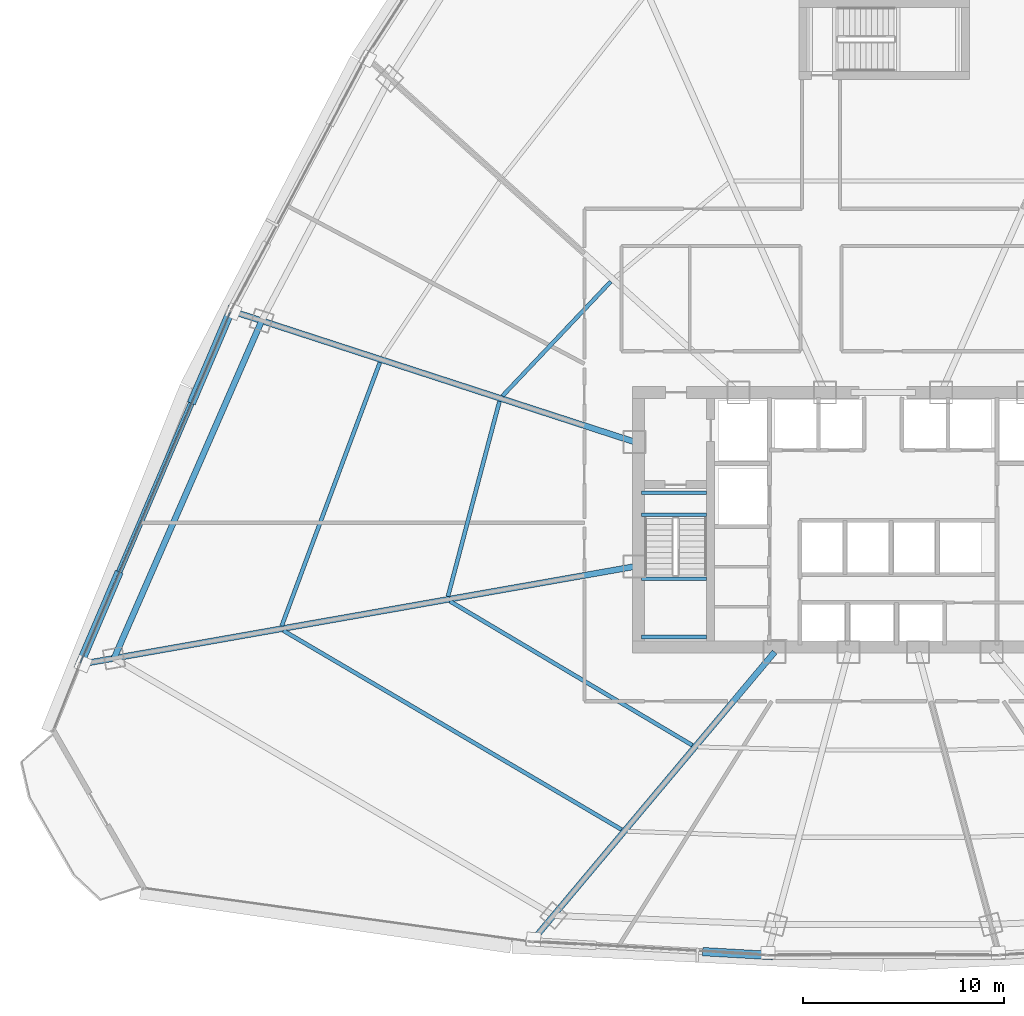
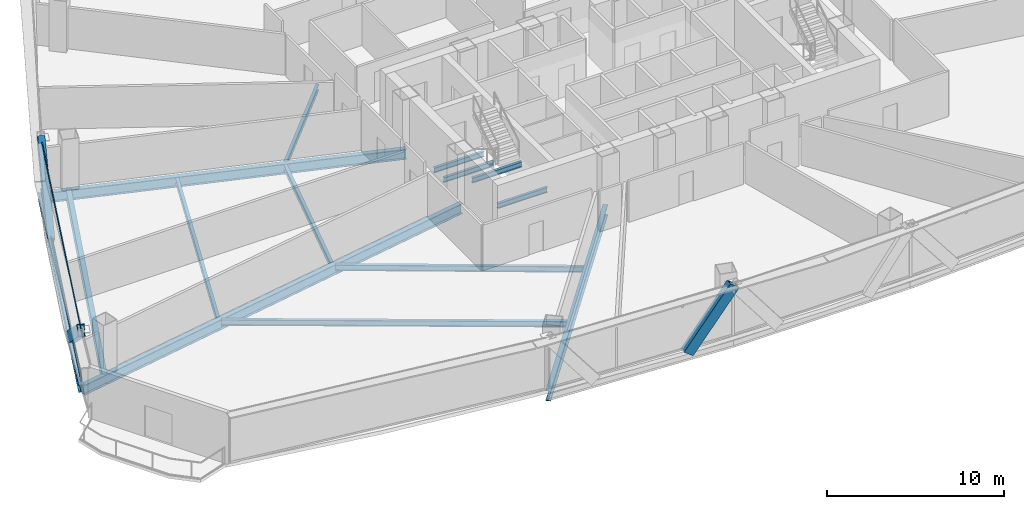
# One storey, part 7 of 36: 14 beams, 5 members, 1 element without a shape of its own.
"""IFC4 building model written with IfcOpenShell, lengths in metres."""

from ifc_helpers import new_model, si_unit, direction, frame, origin, origin_2d, place, context, subcontext, project, spatial, hollow_rectangle, i_section, extrude, source, transform, mapped, material, layer, layer_set, material_profile, profile_set, type_object, element, aggregate, save


model = new_model("IFC4")

# Units and contexts
model_context = context("Model", 3, precision=1e-05, world=origin(), true_north=direction((0.0, 1.0)))
body_context = subcontext(model_context, "Body", "Model", "MODEL_VIEW")
ifc_project = project(units=[si_unit("LENGTHUNIT", "METRE"), si_unit("AREAUNIT", "SQUARE_METRE"), si_unit("VOLUMEUNIT", "CUBIC_METRE"), si_unit("PLANEANGLEUNIT", "RADIAN"), si_unit("MASSUNIT", "GRAM", prefix="KILO"), si_unit("THERMODYNAMICTEMPERATUREUNIT", "KELVIN"), si_unit("POWERUNIT", "WATT")], contexts=[model_context])

# Site, building, storey
site_placement = place(None, origin())
site = spatial("IfcSite", under=ifc_project, at=site_placement, CompositionType="ELEMENT")
building_placement = place(site_placement, origin())
building = spatial("IfcBuilding", under=site, at=building_placement, Name="Yunzhuo Pagoda Commons", CompositionType="ELEMENT")
storey_placement = place(building_placement, frame((0.0, 0.0, 107.780029296875)))
storey = spatial("IfcBuildingStorey", under=building, at=storey_placement, Name="L27", CompositionType="ELEMENT", Elevation=107.780029296875)

# Beams
ifc_material_1 = material(Name="Structural steel Q355B", Category="steel")
ifc_material_profile_1 = material_profile(ifc_material_1, i_section(OverallWidth=0.175048828125, OverallDepth=0.35009765625, WebThickness=0.007080078125, FlangeThickness=0.010986328125, at=origin_2d()), Name="Structural steel Q355B")
ifc_profile_set_1 = profile_set([ifc_material_profile_1], Name="Structural steel Q355B")
beam_type_1 = type_object("IfcBeamType", Name="B-JS2 Joist HN 350x175x7x11", PredefinedType="JOIST", material=ifc_profile_set_1)
shared_shape_1 = source(origin(), body_context, "Body", "SweptSolid", [
    extrude(i_section(OverallWidth=0.175048828125, OverallDepth=0.35009765625, WebThickness=0.007080078125, FlangeThickness=0.010986328125, at=origin_2d()), origin(), (0.0, 0.0, 1.0), 3.25),
])
for number, where, z_axis, x_axis, name in (
    (1, (35.949951171875, 28.0, 1.52490234375), (1.0, 0.0, 0.0), (0.0, 1.0, 0.0), "L27 ST1 landing support beam 33A"),
    (2, (35.949951171875, 30.89990234375, 1.52490234375), (1.0, 0.0, 0.0), (0.0, 1.0, 0.0), "L27 ST1 landing support beam 33B"),
    (3, (35.949951171875, 34.10009765625, -0.375), (1.0, 0.0, 0.0), (0.0, 1.0, 0.0), "L27 ST1 landing support beam 131A"),
    (4, (35.949951171875, 35.199951171875, -0.375), (1.0, 0.0, 0.0), (0.0, 1.0, 0.0), "L27 ST1 landing support beam 131B"),
):
    element("IfcBeam", number, at=place(storey_placement, frame(where, z_axis=z_axis, x_axis=x_axis)), inside=storey, type_object=beam_type_1, Name=name, PredefinedType="JOIST", context=body_context, shape_type="MappedRepresentation", body=[
        mapped(shared_shape_1, transform((0.0, 0.0, 0.0), scale=1.0)),
    ])
ifc_material_profile_2 = material_profile(ifc_material_1, i_section(OverallWidth=0.300048828125, OverallDepth=0.699951171875, WebThickness=0.012939453125, FlangeThickness=0.02392578125, at=origin_2d()), Name="Structural steel Q355B")
ifc_profile_set_2 = profile_set([ifc_material_profile_2], Name="Structural steel Q355B")
beam_type_2 = type_object("IfcBeamType", Name="B-RG1 Beam HN 700x300x13x24", PredefinedType="BEAM", material=ifc_profile_set_2)
shared_shape_2 = source(origin(), body_context, "Body", "SweptSolid", [
    extrude(i_section(OverallWidth=0.300048828125, OverallDepth=0.699951171875, WebThickness=0.012939453125, FlangeThickness=0.02392578125, at=origin_2d()), origin(), (0.0, 0.0, 1.0), 18.37158203125),
])
beam_1_placement = place(storey_placement, frame((17.00927734375, 43.76953125, -0.610107421875), z_axis=(-0.400729599795, -0.916196369698, 0.0), x_axis=(0.916196369698, -0.400729599795, 0.0)))
element("IfcBeam", 5, at=beam_1_placement, inside=storey, type_object=beam_type_2, Name="L27 column-ring beam 11", PredefinedType="BEAM", context=body_context, shape_type="MappedRepresentation", body=[
    mapped(shared_shape_2, transform((0.0, 0.0, 0.0), scale=1.0)),
])
ifc_material_profile_3 = material_profile(ifc_material_1, i_section(OverallWidth=0.199951171875, OverallDepth=0.39990234375, WebThickness=0.008056640625, FlangeThickness=0.012939453125, at=origin_2d()), Name="Structural steel Q355B")
ifc_profile_set_3 = profile_set([ifc_material_profile_3], Name="Structural steel Q355B")
beam_type_3 = type_object("IfcBeamType", Name="B-JS1 Joist HN 400x200x8x13", PredefinedType="JOIST", material=ifc_profile_set_3)
shared_shape_3 = source(origin(), body_context, "Body", "SweptSolid", [
    extrude(i_section(OverallWidth=0.199951171875, OverallDepth=0.39990234375, WebThickness=0.008056640625, FlangeThickness=0.012939453125, at=origin_2d()), origin(), (0.0, 0.0, 1.0), 14.061767578125),
])
beam_2_placement = place(storey_placement, frame((26.393798828125, 29.784912109375, -0.4599609375), z_axis=(0.859683443923, -0.510827149088, 0.0), x_axis=(0.510827149088, 0.859683443923, 0.0)))
element("IfcBeam", 6, at=beam_2_placement, inside=storey, type_object=beam_type_3, Name="L27 composite ring joist 1.12", PredefinedType="JOIST", context=body_context, shape_type="MappedRepresentation", body=[
    mapped(shared_shape_3, transform((0.0, 0.0, 0.0), scale=1.0)),
])
shared_shape_4 = source(origin(), body_context, "Body", "SweptSolid", [
    extrude(i_section(OverallWidth=0.199951171875, OverallDepth=0.39990234375, WebThickness=0.008056640625, FlangeThickness=0.012939453125, at=origin_2d()), origin(), (0.0, 0.0, 1.0), 19.568603515625),
])
beam_3_placement = place(storey_placement, frame((18.089111328125, 28.321044921875, -0.4599609375), z_axis=(0.861862685393, -0.50714170754, 0.0), x_axis=(0.50714170754, 0.861862685393, 0.0)))
element("IfcBeam", 7, at=beam_3_placement, inside=storey, type_object=beam_type_3, Name="L27 composite ring joist 2.12", PredefinedType="JOIST", context=body_context, shape_type="MappedRepresentation", body=[
    mapped(shared_shape_4, transform((0.0, 0.0, 0.0), scale=1.0)),
])
shared_shape_5 = source(origin(), body_context, "Body", "SweptSolid", [
    extrude(i_section(OverallWidth=0.199951171875, OverallDepth=0.39990234375, WebThickness=0.008056640625, FlangeThickness=0.012939453125, at=origin_2d()), origin(), (0.0, 0.0, 1.0), 10.0634765625),
])
beam_4_placement = place(storey_placement, frame((28.86669921875, 39.749755859375, -0.4599609375), z_axis=(-0.255289713136, -0.966864603948, 0.0), x_axis=(0.966864603948, -0.255289713136, 0.0)))
element("IfcBeam", 8, at=beam_4_placement, inside=storey, type_object=beam_type_3, Name="L27 composite ring joist 1.11", PredefinedType="JOIST", context=body_context, shape_type="MappedRepresentation", body=[
    mapped(shared_shape_5, transform((0.0, 0.0, 0.0), scale=1.0)),
])
shared_shape_6 = source(origin(), body_context, "Body", "SweptSolid", [
    extrude(i_section(OverallWidth=0.199951171875, OverallDepth=0.39990234375, WebThickness=0.008056640625, FlangeThickness=0.012939453125, at=origin_2d()), origin(), (0.0, 0.0, 1.0), 7.85009765625),
])
beam_5_placement = place(storey_placement, frame((34.41357421875, 45.719482421875, -0.4599609375), z_axis=(-0.687513423145, -0.726171669095, 0.0), x_axis=(0.726171669095, -0.687513423145, 0.0)))
element("IfcBeam", 9, at=beam_5_placement, inside=storey, type_object=beam_type_3, Name="L27 composite ring joist 1.10", PredefinedType="JOIST", context=body_context, shape_type="MappedRepresentation", body=[
    mapped(shared_shape_6, transform((0.0, 0.0, 0.0), scale=1.0)),
])
shared_shape_7 = source(origin(), body_context, "Body", "SweptSolid", [
    extrude(i_section(OverallWidth=0.199951171875, OverallDepth=0.39990234375, WebThickness=0.008056640625, FlangeThickness=0.012939453125, at=origin_2d()), origin(), (0.0, 0.0, 1.0), 14.018798828125),
])
beam_6_placement = place(storey_placement, frame((22.902587890625, 41.6875, -0.4599609375), z_axis=(-0.349137809065, -0.937071390173, 0.0), x_axis=(0.937071390173, -0.349137809065, 0.0)))
element("IfcBeam", 10, at=beam_6_placement, inside=storey, type_object=beam_type_3, Name="L27 composite ring joist 2.11", PredefinedType="JOIST", context=body_context, shape_type="MappedRepresentation", body=[
    mapped(shared_shape_7, transform((0.0, 0.0, 0.0), scale=1.0)),
])
shared_shape_8 = source(origin(), body_context, "Body", "SweptSolid", [
    extrude(i_section(OverallWidth=0.300048828125, OverallDepth=0.699951171875, WebThickness=0.012939453125, FlangeThickness=0.02392578125, at=origin_2d()), origin(), (0.0, 0.0, 1.0), 18.70703125),
])
beam_7_placement = place(storey_placement, frame((30.563232421875, 12.919677734375, -0.610107421875), z_axis=(0.642790435283, 0.766042072154, 0.0), x_axis=(-0.766042072154, 0.642790435283, 0.0)))
element("IfcBeam", 11, at=beam_7_placement, inside=storey, type_object=beam_type_2, Name="L27 radial floor girder F1C1", PredefinedType="BEAM", context=body_context, shape_type="MappedRepresentation", body=[
    mapped(shared_shape_8, transform((0.0, 0.0, 0.0), scale=1.0)),
])
shared_shape_9 = source(origin(), body_context, "Body", "SweptSolid", [
    extrude(i_section(OverallWidth=0.300048828125, OverallDepth=0.699951171875, WebThickness=0.012939453125, FlangeThickness=0.02392578125, at=origin_2d()), origin(), (0.0, 0.0, 1.0), 27.9365234375),
])
beam_8_placement = place(storey_placement, frame((8.087890625, 26.66259765625, -0.610107421875), z_axis=(0.984809677022, 0.173637265709, 0.0), x_axis=(-0.173637265709, 0.984809677022, 0.0)))
element("IfcBeam", 12, at=beam_8_placement, inside=storey, type_object=beam_type_2, Name="L27 radial floor girder F3C4", PredefinedType="BEAM", context=body_context, shape_type="MappedRepresentation", body=[
    mapped(shared_shape_9, transform((0.0, 0.0, 0.0), scale=1.0)),
])
shared_shape_10 = source(origin(), body_context, "Body", "SweptSolid", [
    extrude(i_section(OverallWidth=0.300048828125, OverallDepth=0.699951171875, WebThickness=0.012939453125, FlangeThickness=0.02392578125, at=origin_2d()), origin(), (0.0, 0.0, 1.0), 21.0078125),
])
beam_9_placement = place(storey_placement, frame((15.620361328125, 44.220703125, -0.610107421875), z_axis=(0.951058064092, -0.309012230705, 0.0), x_axis=(0.309012230705, 0.951058064092, 0.0)))
element("IfcBeam", 13, at=beam_9_placement, inside=storey, type_object=beam_type_2, Name="L27 radial floor girder F3C3", PredefinedType="BEAM", context=body_context, shape_type="MappedRepresentation", body=[
    mapped(shared_shape_10, transform((0.0, 0.0, 0.0), scale=1.0)),
])
ifc_material_profile_4 = material_profile(ifc_material_1, i_section(OverallWidth=0.300048828125, OverallDepth=0.488037109375, WebThickness=0.010986328125, FlangeThickness=0.01806640625, at=origin_2d()), Name="Structural steel Q355B")
ifc_profile_set_4 = profile_set([ifc_material_profile_4], Name="Structural steel Q355B")
beam_type_4 = type_object("IfcBeamType", Name="B-SP1 Beam HM 488x300x11x18", PredefinedType="BEAM", material=ifc_profile_set_4)
shared_shape_11 = source(origin(), body_context, "Body", "SweptSolid", [
    extrude(i_section(OverallWidth=0.300048828125, OverallDepth=0.488037109375, WebThickness=0.010986328125, FlangeThickness=0.01806640625, at=origin_2d()), origin(), (0.0, 0.0, 1.0), 19.1767578125),
])
beam_10_placement = place(storey_placement, frame((15.472900390625, 44.268798828125, -0.504150390625), z_axis=(-0.39305868206, -0.91951338895, 0.0), x_axis=(0.91951338895, -0.39305868206, 0.0)))
element("IfcBeam", 14, at=beam_10_placement, inside=storey, type_object=beam_type_4, Name="L27 facade edge spandrel beam F3.3", PredefinedType="BEAM", context=body_context, shape_type="MappedRepresentation", body=[
    mapped(shared_shape_11, transform((0.0, 0.0, 0.0), scale=1.0)),
])

# Members
ifc_material_2 = material(Name="Structural steel Q420B", Category="steel")
ifc_material_profile_5 = material_profile(ifc_material_2, hollow_rectangle(XDim=0.419921875, YDim=0.719970703125, WallThickness=0.028076171875, at=origin_2d()), Name="Structural steel Q420B")
ifc_profile_set_5 = profile_set([ifc_material_profile_5], Name="Structural steel Q420B")
member_type_1 = type_object("IfcMemberType", Name="M-DL1 Brace BOX 720x420x28", PredefinedType="BRACE", material=ifc_profile_set_5)
shared_shape_12 = source(origin(), body_context, "Body", "SweptSolid", [
    extrude(hollow_rectangle(XDim=0.419921875, YDim=0.719970703125, WallThickness=0.028076171875, at=origin_2d()), origin(), (0.0, 0.0, 1.0), 4.806640625),
])
member_1_placement = place(storey_placement, frame((39.28076171875, 12.296142578125, -0.259765625), z_axis=(0.611431406817, -0.034995534084, 0.79052321114), x_axis=(0.057141902302, 0.998366066632, 0.0)))
element("IfcMember", 15, at=member_1_placement, inside=storey, type_object=member_type_1, Name="L27 facade diamond brace F1.1R", PredefinedType="BRACE", context=body_context, shape_type="MappedRepresentation", body=[
    mapped(shared_shape_12, transform((0.0, 0.0, 0.0), scale=1.0)),
])
shared_shape_13 = source(origin(), body_context, "Body", "SweptSolid", [
    extrude(hollow_rectangle(XDim=0.419921875, YDim=0.719970703125, WallThickness=0.028076171875, at=origin_2d()), origin(), (0.0, 0.0, 1.0), 6.1171875),
])
member_2_placement = place(storey_placement, frame((9.819580078125, 31.043701171875, -0.259765625), z_axis=(-0.308024709009, -0.72061339024, 0.621157886891), x_axis=(0.919518657857, -0.393046355856, 0.0)))
element("IfcMember", 16, at=member_2_placement, inside=storey, type_object=member_type_1, Name="L27 facade diamond brace F3.3R", PredefinedType="BRACE", context=body_context, shape_type="MappedRepresentation", body=[
    mapped(shared_shape_13, transform((0.0, 0.0, 0.0), scale=1.0)),
])
shared_shape_14 = source(origin(), body_context, "Body", "SweptSolid", [
    extrude(hollow_rectangle(XDim=0.419921875, YDim=0.719970703125, WallThickness=0.028076171875, at=origin_2d()), origin(), (0.0, 0.0, 1.0), 6.117431640625),
])
member_3_placement = place(storey_placement, frame((13.58837890625, 39.8603515625, -0.259765625), z_axis=(0.308051972278, 0.72062371595, 0.621132387166), x_axis=(-0.919508120229, 0.393071007368, 0.0)))
element("IfcMember", 17, at=member_3_placement, inside=storey, type_object=member_type_1, Name="L27 facade diamond brace F3.3L", PredefinedType="BRACE", context=body_context, shape_type="MappedRepresentation", body=[
    mapped(shared_shape_14, transform((0.0, 0.0, 0.0), scale=1.0)),
])

# Curtain wall, members
ifc_material_3 = material(Name="Anodized aluminium 6063-T6", Category="aluminium")
ifc_layer = layer(ifc_material_3, 0.1650390625)
ifc_layer_set = layer_set([ifc_layer], Name="Anodized aluminium 6063-T6")
curtain_wall_type = type_object("IfcCurtainWallType", Name="CW-LOW Low-Zone Ribbon Curtain Wall", PredefinedType="NOTDEFINED", material=ifc_layer_set)
curtain_wall_placement = place(storey_placement, origin())
curtain_wall = element("IfcCurtainWall", 18, at=curtain_wall_placement, inside=storey, type_object=curtain_wall_type, Name="L27 curtain wall CW-L27-F3B4", PredefinedType="NOTDEFINED")
ifc_material_profile_6 = material_profile(ifc_material_3, hollow_rectangle(XDim=0.06005859375, YDim=0.139892578125, WallThickness=0.00341796875, at=origin_2d()), Name="Anodized aluminium 6063-T6")
ifc_profile_set_6 = profile_set([ifc_material_profile_6], Name="Anodized aluminium 6063-T6")
member_type_2 = type_object("IfcMemberType", Name="CW-LOW-T Transom RHS 140x60x3.5", PredefinedType="USERDEFINED", material=ifc_profile_set_6)
shared_shape_15 = source(origin(), body_context, "Body", "SweptSolid", [
    extrude(hollow_rectangle(XDim=0.06005859375, YDim=0.139892578125, WallThickness=0.00341796875, at=origin_2d()), origin(), (0.0, 0.0, 1.0), 19.04638671875),
])
member_4_placement = place(storey_placement, frame((15.447265625, 44.208984375, 0.030029296875), z_axis=(-0.393046594754, -0.919518555741, 0.0), x_axis=(0.919518555741, -0.393046594754, 0.0)))
member_4 = element("IfcMember", 19, at=member_4_placement, type_object=member_type_2, Name="CW transom 1.1", ObjectType="TRANSOM", PredefinedType="USERDEFINED", context=body_context, shape_type="MappedRepresentation", body=[
    mapped(shared_shape_15, transform((0.0, 0.0, 0.0), scale=1.0)),
])
member_5_placement = place(storey_placement, frame((15.447265625, 44.208984375, 3.510009765625), z_axis=(-0.393046594754, -0.919518555741, 0.0), x_axis=(0.919518555741, -0.393046594754, 0.0)))
member_5 = element("IfcMember", 20, at=member_5_placement, type_object=member_type_2, Name="CW transom 1.2", ObjectType="TRANSOM", PredefinedType="USERDEFINED", context=body_context, shape_type="MappedRepresentation", body=[
    mapped(shared_shape_15, transform((0.0, 0.0, 0.0), scale=1.0)),
])
aggregate(curtain_wall, [member_4, member_5])

save(model, "model.ifc")
